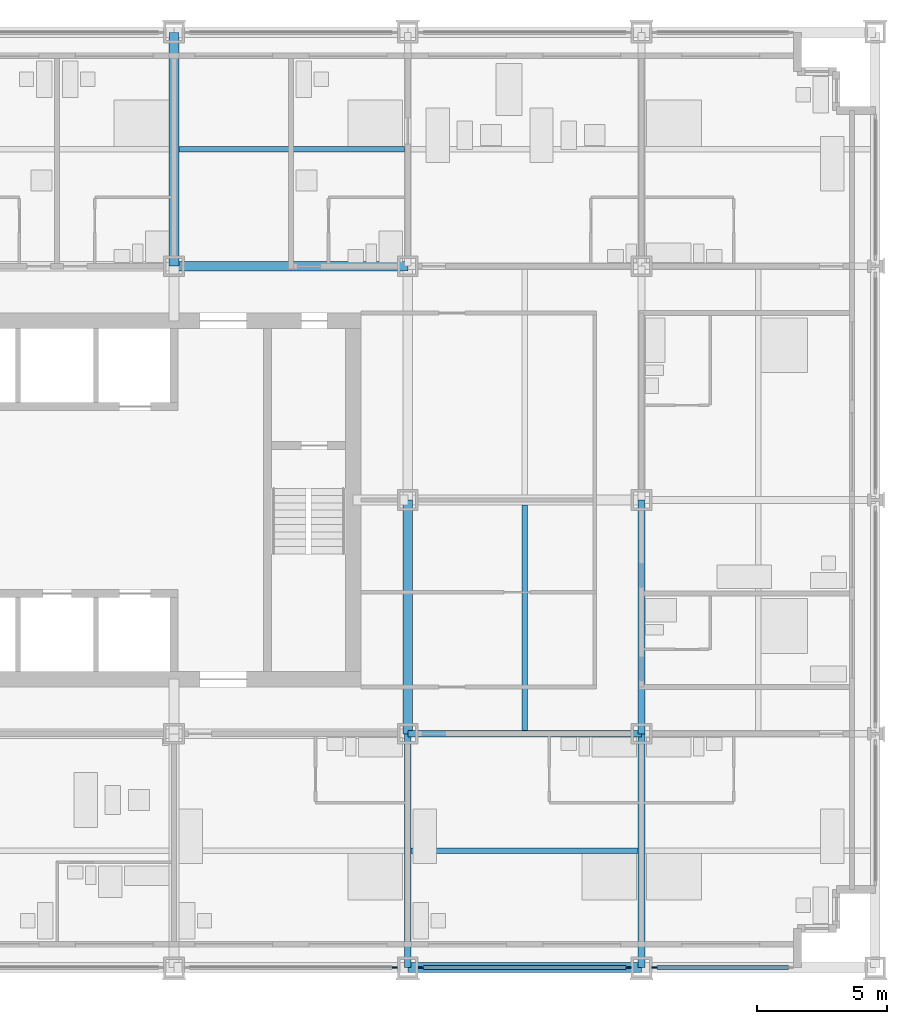
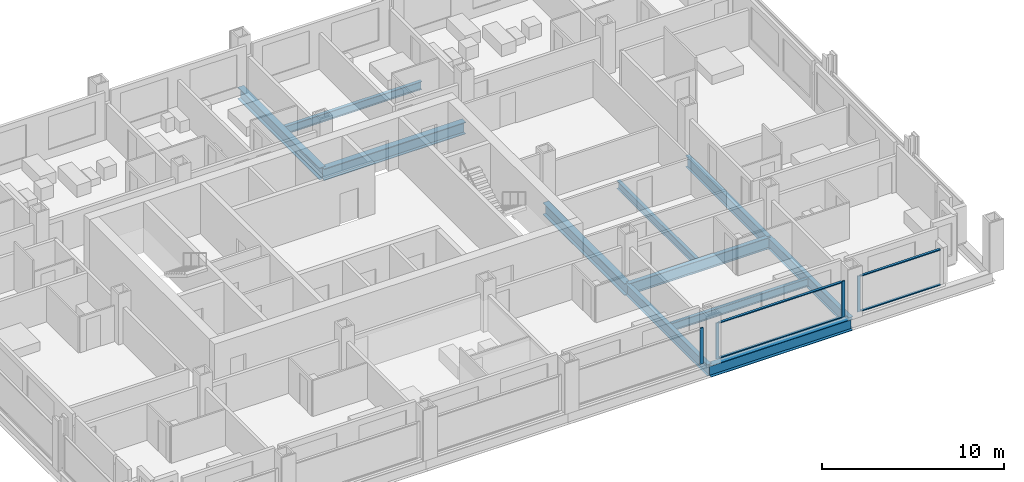
# One storey, part 5 of 18: 11 beams, 8 members, 3 elements without a shape of their own.
"""IFC4 building model written with IfcOpenShell, lengths in metres."""

from ifc_helpers import new_model, si_unit, direction, frame, origin, origin_2d, place, context, subcontext, project, spatial, rectangle, i_section, extrude, material, material_profile, profile_set, type_object, element, aggregate, save


model = new_model("IFC4")

# Units and contexts
model_context = context("Model", 3, precision=1e-05, world=origin(), true_north=direction((0.0, 1.0)))
body_context = subcontext(model_context, "Body", "Model", "MODEL_VIEW")
ifc_project = project(units=[si_unit("LENGTHUNIT", "METRE"), si_unit("AREAUNIT", "SQUARE_METRE"), si_unit("VOLUMEUNIT", "CUBIC_METRE"), si_unit("PLANEANGLEUNIT", "RADIAN"), si_unit("MASSUNIT", "GRAM", prefix="KILO")], contexts=[model_context])

# Site, building, storey
site_placement = place(None, origin())
site = spatial("IfcSite", under=ifc_project, at=site_placement, CompositionType="ELEMENT")
building_placement = place(site_placement, origin())
building = spatial("IfcBuilding", under=site, at=building_placement, Name="Loomwork Tower", CompositionType="ELEMENT")
storey_placement = place(building_placement, frame((0.0, 0.0, 48.39990234375)))
storey = spatial("IfcBuildingStorey", under=building, at=storey_placement, Name="L11", CompositionType="ELEMENT", Elevation=48.39990234375)

# Beams
ifc_material_1 = material(Name="Steel ASTM A992", Category="steel")
ifc_material_profile_1 = material_profile(ifc_material_1, i_section(OverallWidth=0.383544921875, OverallDepth=0.794921875, WebThickness=0.02099609375, FlangeThickness=0.0380859375, at=origin_2d()), Name="W30x235")
ifc_profile_set_1 = profile_set([ifc_material_profile_1], Name="Steel ASTM A992")
beam_type_1 = type_object("IfcBeamType", Name="CORE FLANK GIRDER W30x235", PredefinedType="BEAM", material=ifc_profile_set_1)
for number, where, z_axis, x_axis, name in (
    (1, (27.0, 27.0, -0.597412109375), (1.0, 0.0, 0.0), (0.0, 1.0, 0.0), "Core Flank Girder G/5-G/6 L11"),
    (2, (27.0, 27.0, -0.597412109375), (0.0, 1.0, 0.0), (-1.0, 0.0, 0.0), "Core Flank Girder G/5-H/5 L11"),
    (3, (36.0, 9.0, -0.597412109375), (0.0, 1.0, 0.0), (-1.0, 0.0, 0.0), "Core Flank Girder E/6-F/6 L11"),
):
    element("IfcBeam", number, at=place(storey_placement, frame(where, z_axis=z_axis, x_axis=x_axis)), inside=storey, type_object=beam_type_1, Name=name, PredefinedType="BEAM", context=body_context, shape_type="SweptSolid", body=[
        extrude(i_section(OverallWidth=0.383544921875, OverallDepth=0.794921875, WebThickness=0.02099609375, FlangeThickness=0.0380859375, at=origin_2d()), origin(), (0.0, 0.0, 1.0), 9.0),
    ])
ifc_material_2 = material(Name="Steel ASTM A992", Category="steel")
ifc_material_profile_2 = material_profile(ifc_material_2, i_section(OverallWidth=0.2666015625, OverallDepth=0.761962890625, WebThickness=0.014404296875, FlangeThickness=0.021484375, at=origin_2d()), Name="W30x116")
ifc_profile_set_2 = profile_set([ifc_material_profile_2], Name="Steel ASTM A992")
beam_type_2 = type_object("IfcBeamType", Name="FLOOR GIRDER W30x116", PredefinedType="BEAM", material=ifc_profile_set_2)
for number, where, z_axis, x_axis, name in (
    (4, (36.0, 9.0, -0.580810546875), (1.0, 0.0, 0.0), (0.0, 1.0, 0.0), "Floor Girder E/6-E/7 L11"),
    (5, (36.0, 0.0, -0.580810546875), (0.0, 1.0, 0.0), (-1.0, 0.0, 0.0), "Floor Girder D/6-E/6 L11"),
    (6, (45.0, 0.0, -0.580810546875), (0.0, 1.0, 0.0), (-1.0, 0.0, 0.0), "Floor Girder D/7-E/7 L11"),
    (7, (45.0, 9.0, -0.580810546875), (0.0, 1.0, 0.0), (-1.0, 0.0, 0.0), "Floor Girder E/7-F/7 L11"),
):
    element("IfcBeam", number, at=place(storey_placement, frame(where, z_axis=z_axis, x_axis=x_axis)), inside=storey, type_object=beam_type_2, Name=name, PredefinedType="BEAM", context=body_context, shape_type="SweptSolid", body=[
        extrude(i_section(OverallWidth=0.2666015625, OverallDepth=0.761962890625, WebThickness=0.014404296875, FlangeThickness=0.021484375, at=origin_2d()), origin(), (0.0, 0.0, 1.0), 9.0),
    ])
ifc_material_3 = material(Name="Steel ASTM A992", Category="steel")
ifc_material_profile_3 = material_profile(ifc_material_3, i_section(OverallWidth=0.2109375, OverallDepth=0.53857421875, WebThickness=0.011474609375, FlangeThickness=0.018798828125, at=origin_2d()), Name="W21x73")
ifc_profile_set_3 = profile_set([ifc_material_profile_3], Name="Steel ASTM A992")
beam_type_3 = type_object("IfcBeamType", Name="FLOOR JOIST W21x73", PredefinedType="JOIST", material=ifc_profile_set_3)
beam_1_placement = place(storey_placement, frame((27.19091796875, 31.5, -0.46923828125), z_axis=(1.0, 0.0, 0.0), x_axis=(0.0, 1.0, 0.0)))
element("IfcBeam", 8, at=beam_1_placement, inside=storey, type_object=beam_type_3, Name="Floor Joist 27.000,31.500-36.000,31.500 L11", PredefinedType="JOIST", context=body_context, shape_type="SweptSolid", body=[
    extrude(i_section(OverallWidth=0.2109375, OverallDepth=0.53857421875, WebThickness=0.011474609375, FlangeThickness=0.018798828125, at=origin_2d()), origin(), (0.0, 0.0, 1.0), 8.676025390625),
])
beam_2_placement = place(storey_placement, frame((36.133056640625, 4.5, -0.46923828125), z_axis=(1.0, 0.0, 0.0), x_axis=(0.0, 1.0, 0.0)))
element("IfcBeam", 9, at=beam_2_placement, inside=storey, type_object=beam_type_3, Name="Floor Joist 36.000,4.500-45.000,4.500 L11", PredefinedType="JOIST", context=body_context, shape_type="SweptSolid", body=[
    extrude(i_section(OverallWidth=0.2109375, OverallDepth=0.53857421875, WebThickness=0.011474609375, FlangeThickness=0.018798828125, at=origin_2d()), origin(), (0.0, 0.0, 1.0), 8.73388671875),
])
beam_3_placement = place(storey_placement, frame((40.5, 9.133056640625, -0.46923828125), z_axis=(0.0, 1.0, 0.0), x_axis=(-1.0, 0.0, 0.0)))
element("IfcBeam", 10, at=beam_3_placement, inside=storey, type_object=beam_type_3, Name="Floor Joist 40.500,9.000-40.500,18.000 L11", PredefinedType="JOIST", context=body_context, shape_type="SweptSolid", body=[
    extrude(i_section(OverallWidth=0.2109375, OverallDepth=0.53857421875, WebThickness=0.011474609375, FlangeThickness=0.018798828125, at=origin_2d()), origin(), (0.0, 0.0, 1.0), 8.676025390625),
])

# Curtain wall, member
ifc_material_4 = material(Name="Aluminium curtain wall frame", Category="aluminium")
curtain_wall_type = type_object("IfcCurtainWallType", Name="Outer skin glazing hotel", PredefinedType="NOTDEFINED", material=ifc_material_4)
curtain_wall_1_placement = place(storey_placement, origin())
curtain_wall_1 = element("IfcCurtainWall", 11, at=curtain_wall_1_placement, inside=storey, type_object=curtain_wall_type, Name="Outer skin glazing hotel cw/S-27", PredefinedType="NOTDEFINED")
ifc_material_5 = material(Name="Aluminium curtain wall frame", Category="aluminium")
ifc_material_profile_4 = material_profile(ifc_material_5, rectangle(XDim=0.06494140625, YDim=0.199951171875, at=origin_2d()), Name="AL 65x200")
ifc_profile_set_4 = profile_set([ifc_material_profile_4], Name="Aluminium curtain wall frame")
member_type_1 = type_object("IfcMemberType", Name="Outer skin glazing hotel mullion", PredefinedType="MULLION", material=ifc_profile_set_4)
member_1_placement = place(storey_placement, frame((35.5, 0.0, 0.0), z_axis=(0.0, 0.0, 1.0), x_axis=(0.0, 1.0, 0.0)))
member_1 = element("IfcMember", 12, at=member_1_placement, type_object=member_type_1, Name="CW1 mullion 2", PredefinedType="MULLION", context=body_context, shape_type="SweptSolid", body=[
    extrude(rectangle(XDim=0.06494140625, YDim=0.199951171875, at=origin_2d()), origin(), (0.0, 0.0, 1.0), 2.42041015625),
])
aggregate(curtain_wall_1, [member_1])

# Curtain wall, members
curtain_wall_2_placement = place(storey_placement, origin())
curtain_wall_2 = element("IfcCurtainWall", 13, at=curtain_wall_2_placement, inside=storey, type_object=curtain_wall_type, Name="Outer skin glazing hotel cw/S-36", PredefinedType="NOTDEFINED")
member_2_placement = place(storey_placement, frame((36.5, 0.0, 0.0), z_axis=(0.0, 0.0, 1.0), x_axis=(0.0, 1.0, 0.0)))
member_2 = element("IfcMember", 14, at=member_2_placement, type_object=member_type_1, Name="CW1 mullion 1", PredefinedType="MULLION", context=body_context, shape_type="SweptSolid", body=[
    extrude(rectangle(XDim=0.06494140625, YDim=0.199951171875, at=origin_2d()), origin(), (0.0, 0.0, 1.0), 2.42041015625),
])
member_3_placement = place(storey_placement, frame((44.5, 0.0, 0.0), z_axis=(0.0, 0.0, 1.0), x_axis=(0.0, 1.0, 0.0)))
member_3 = element("IfcMember", 15, at=member_3_placement, type_object=member_type_1, Name="CW1 mullion 2", PredefinedType="MULLION", context=body_context, shape_type="SweptSolid", body=[
    extrude(rectangle(XDim=0.06494140625, YDim=0.199951171875, at=origin_2d()), origin(), (0.0, 0.0, 1.0), 2.42041015625),
])

# Curtain wall, member
curtain_wall_3_placement = place(storey_placement, origin())
curtain_wall_3 = element("IfcCurtainWall", 16, at=curtain_wall_3_placement, inside=storey, type_object=curtain_wall_type, Name="Outer skin glazing hotel cw/S-45", PredefinedType="NOTDEFINED")
member_4_placement = place(storey_placement, frame((45.5, 0.0, 0.0), z_axis=(0.0, 0.0, 1.0), x_axis=(0.0, 1.0, 0.0)))
member_4 = element("IfcMember", 17, at=member_4_placement, type_object=member_type_1, Name="CW1 mullion 1", PredefinedType="MULLION", context=body_context, shape_type="SweptSolid", body=[
    extrude(rectangle(XDim=0.06494140625, YDim=0.199951171875, at=origin_2d()), origin(), (0.0, 0.0, 1.0), 2.42041015625),
])

# Member
ifc_material_6 = material(Name="Aluminium curtain wall frame", Category="aluminium")
ifc_material_profile_5 = material_profile(ifc_material_6, rectangle(XDim=0.14990234375, YDim=0.06494140625, at=origin_2d()), Name="AL 65x150")
ifc_profile_set_5 = profile_set([ifc_material_profile_5], Name="Aluminium curtain wall frame")
member_type_2 = type_object("IfcMemberType", Name="Outer skin glazing hotel transom", PredefinedType="USERDEFINED", material=ifc_profile_set_5)
member_5_placement = place(storey_placement, frame((36.60009765625, 0.0, 0.03271484375), z_axis=(1.0, 0.0, 0.0), x_axis=(0.0, 1.0, 0.0)))
member_5 = element("IfcMember", 18, at=member_5_placement, type_object=member_type_2, Name="CW1 transom 1.1", ObjectType="TRANSOM", PredefinedType="USERDEFINED", context=body_context, shape_type="SweptSolid", body=[
    extrude(rectangle(XDim=0.14990234375, YDim=0.06494140625, at=origin_2d()), origin(), (0.0, 0.0, 1.0), 7.7998046875),
])

member_6_placement = place(storey_placement, frame((36.60009765625, 0.0, 2.3876953125), z_axis=(1.0, 0.0, 0.0), x_axis=(0.0, 1.0, 0.0)))
member_6 = element("IfcMember", 19, at=member_6_placement, type_object=member_type_2, Name="CW1 transom 1.2", ObjectType="TRANSOM", PredefinedType="USERDEFINED", context=body_context, shape_type="SweptSolid", body=[
    extrude(rectangle(XDim=0.14990234375, YDim=0.06494140625, at=origin_2d()), origin(), (0.0, 0.0, 1.0), 7.7998046875),
])

aggregate(curtain_wall_2, [member_2, member_3, member_5, member_6])

member_7_placement = place(storey_placement, frame((45.60009765625, 0.0, 0.03271484375), z_axis=(1.0, 0.0, 0.0), x_axis=(0.0, 1.0, 0.0)))
member_7 = element("IfcMember", 20, at=member_7_placement, type_object=member_type_2, Name="CW1 transom 1.1", ObjectType="TRANSOM", PredefinedType="USERDEFINED", context=body_context, shape_type="SweptSolid", body=[
    extrude(rectangle(XDim=0.14990234375, YDim=0.06494140625, at=origin_2d()), origin(), (0.0, 0.0, 1.0), 5.0498046875),
])

member_8_placement = place(storey_placement, frame((45.60009765625, 0.0, 2.3876953125), z_axis=(1.0, 0.0, 0.0), x_axis=(0.0, 1.0, 0.0)))
member_8 = element("IfcMember", 21, at=member_8_placement, type_object=member_type_2, Name="CW1 transom 1.2", ObjectType="TRANSOM", PredefinedType="USERDEFINED", context=body_context, shape_type="SweptSolid", body=[
    extrude(rectangle(XDim=0.14990234375, YDim=0.06494140625, at=origin_2d()), origin(), (0.0, 0.0, 1.0), 5.0498046875),
])

aggregate(curtain_wall_3, [member_4, member_7, member_8])

# Beam
ifc_material_7 = material(Name="Steel ASTM A992", Category="steel")
ifc_material_profile_6 = material_profile(ifc_material_7, i_section(OverallWidth=0.381103515625, OverallDepth=0.77978515625, WebThickness=0.01806640625, FlangeThickness=0.0302734375, at=origin_2d()), Name="W30x191")
ifc_profile_set_6 = profile_set([ifc_material_profile_6], Name="Steel ASTM A992")
beam_type_4 = type_object("IfcBeamType", Name="SPANDREL GIRDER W30x191", PredefinedType="SPANDREL", material=ifc_profile_set_6)
beam_4_placement = place(storey_placement, frame((36.0, 0.0, -0.58984375), z_axis=(1.0, 0.0, 0.0), x_axis=(0.0, 1.0, 0.0)))
element("IfcBeam", 22, at=beam_4_placement, inside=storey, type_object=beam_type_4, Name="Spandrel Girder D/6-D/7 L11", PredefinedType="SPANDREL", context=body_context, shape_type="SweptSolid", body=[
    extrude(i_section(OverallWidth=0.381103515625, OverallDepth=0.77978515625, WebThickness=0.01806640625, FlangeThickness=0.0302734375, at=origin_2d()), origin(), (0.0, 0.0, 1.0), 9.0),
])

save(model, "model.ifc")
